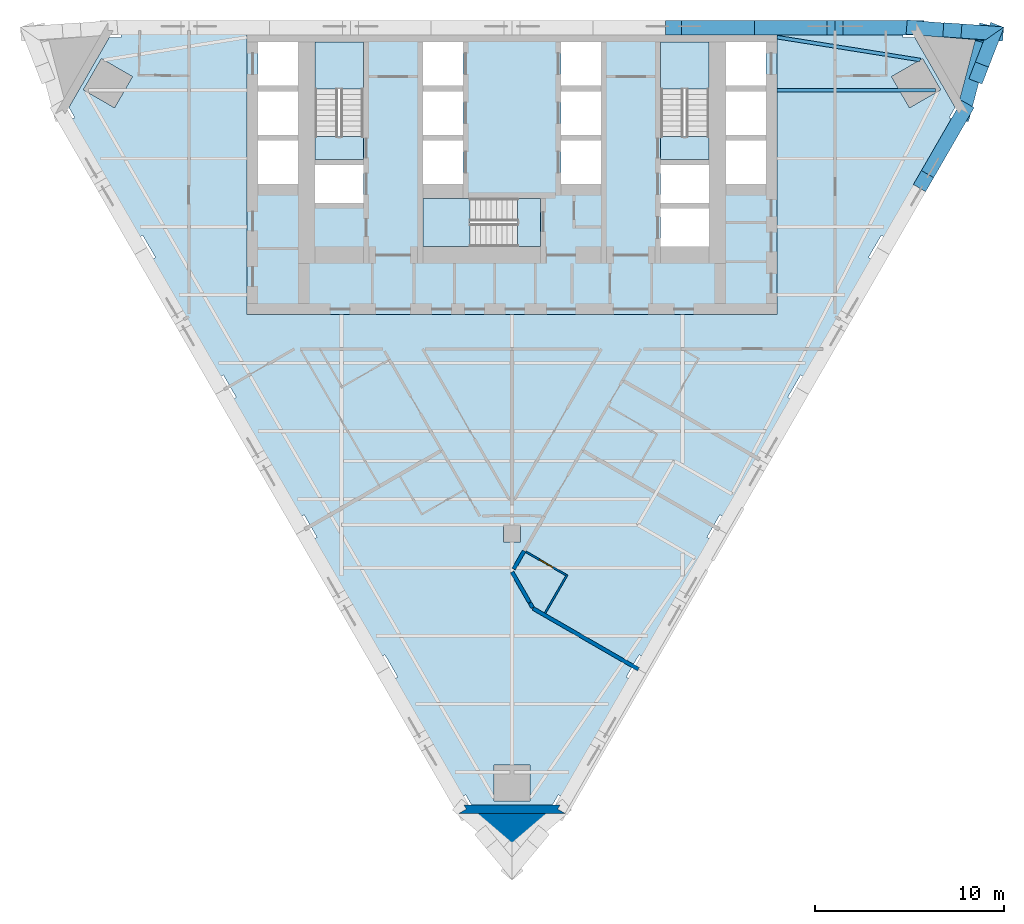
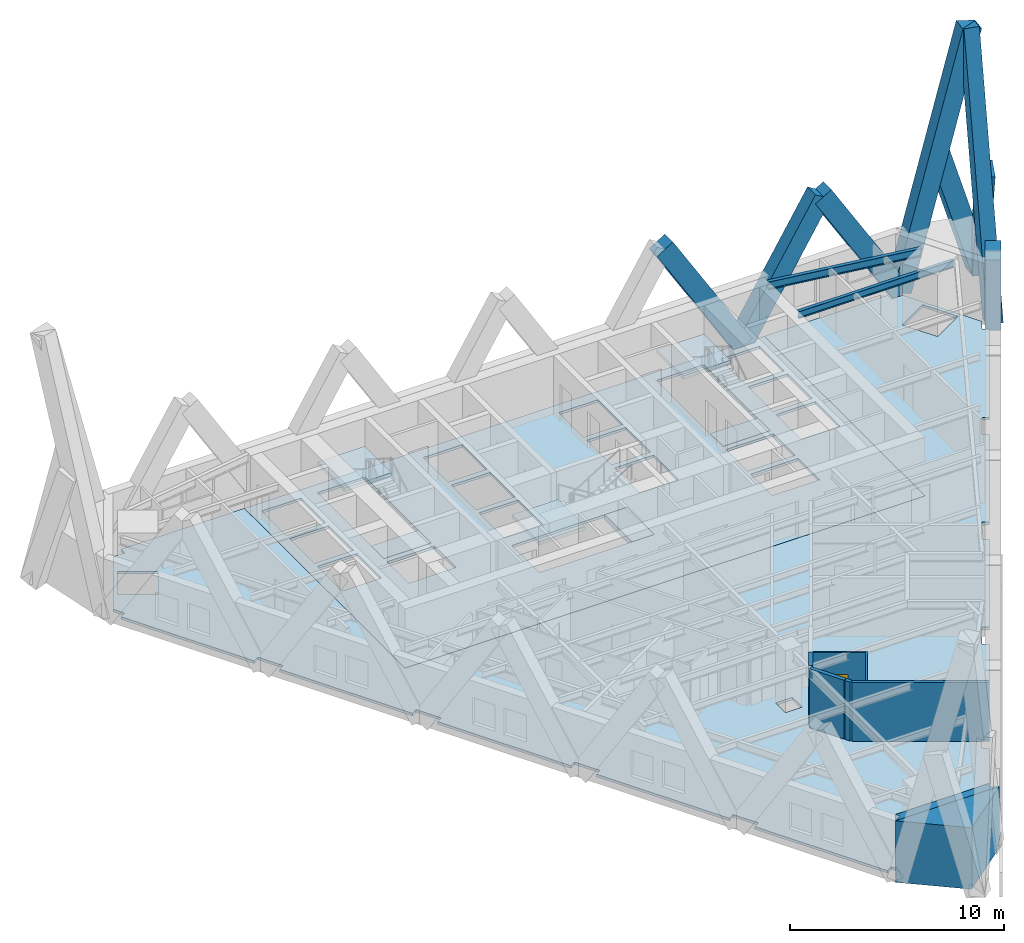
# One storey, part 2 of 9: 8 members, 8 slabs, 8 walls, 2 beams, 1 door, 1 opening, 3 elements without a shape of their own.
"""IFC4 building model written with IfcOpenShell, lengths in metres."""

from ifc_helpers import new_model, si_unit, direction, frame, frame_2d, origin, origin_2d, place, context, subcontext, project, spatial, polyline, rectangle, i_section, outline, extrude, material, layer, layer_set, material_profile, profile_set, type_object, element, fill, aggregate, save


model = new_model("IFC4")

# Units and contexts
model_context = context("Model", 3, precision=1e-05, world=origin(), true_north=direction((0.0, 1.0)))
body_context = subcontext(model_context, "Body", "Model", "MODEL_VIEW")
ifc_project = project(units=[si_unit("LENGTHUNIT", "METRE"), si_unit("AREAUNIT", "SQUARE_METRE"), si_unit("VOLUMEUNIT", "CUBIC_METRE"), si_unit("PLANEANGLEUNIT", "RADIAN"), si_unit("MASSUNIT", "GRAM", prefix="KILO")], contexts=[model_context])

# Site, building, storey
site_placement = place(None, origin())
site = spatial("IfcSite", under=ifc_project, at=site_placement, CompositionType="ELEMENT")
building_placement = place(site_placement, origin())
building = spatial("IfcBuilding", under=site, at=building_placement, Name="Aloe Facet Convention Tower", CompositionType="ELEMENT")
storey_placement = place(building_placement, frame((0.0, 0.0, 109.800048828125)))
storey = spatial("IfcBuildingStorey", under=building, at=storey_placement, Name="L27", CompositionType="ELEMENT", Elevation=109.800048828125)

# Beams
ifc_material_1 = material(Name="Steel S355", Category="steel")
ifc_material_profile_1 = material_profile(ifc_material_1, i_section(OverallWidth=0.177734375, OverallDepth=0.402587890625, WebThickness=0.0078125, FlangeThickness=0.010986328125, FilletRadius=0.01025390625, at=origin_2d()), Name="UB 406x178x54")
ifc_profile_set_1 = profile_set([ifc_material_profile_1], Name="Steel S355")
beam_type_1 = type_object("IfcBeamType", Name="SF-B-UB406x178x54", PredefinedType="BEAM", material=ifc_profile_set_1)
beam_1_placement = place(storey_placement, frame((94.0, 131.39990234375, 3.148681640625), z_axis=(1.0, 0.0, 0.0), x_axis=(0.0, 1.0, 0.0)))
element("IfcBeam", 1, at=beam_1_placement, inside=storey, type_object=beam_type_1, Name="Floor beam FB-Z2G-042", PredefinedType="BEAM", context=body_context, shape_type="SweptSolid", body=[
    extrude(i_section(OverallWidth=0.177734375, OverallDepth=0.402587890625, WebThickness=0.0078125, FlangeThickness=0.010986328125, FilletRadius=0.01025390625, at=origin_2d()), origin(), (0.0, 0.0, 1.0), 8.3623046875),
])
ifc_material_2 = material(Name="Steel S355", Category="steel")
ifc_material_profile_2 = material_profile(ifc_material_2, i_section(OverallWidth=0.18994140625, OverallDepth=0.453369140625, WebThickness=0.008544921875, FlangeThickness=0.0126953125, FilletRadius=0.01025390625, at=origin_2d()), Name="UB 457x191x67")
ifc_profile_set_2 = profile_set([ifc_material_profile_2], Name="Steel S355")
beam_type_2 = type_object("IfcBeamType", Name="SF-B-UB457x191x67", PredefinedType="BEAM", material=ifc_profile_set_2)
beam_2_placement = place(storey_placement, frame((94.0, 134.205078125, 3.123291015625), z_axis=(0.987536396348, -0.15739080624, 0.0), x_axis=(0.15739080624, 0.987536396348, 0.0)))
element("IfcBeam", 2, at=beam_2_placement, inside=storey, type_object=beam_type_2, Name="Floor beam FB-Z2G-008", PredefinedType="BEAM", context=body_context, shape_type="SweptSolid", body=[
    extrude(i_section(OverallWidth=0.18994140625, OverallDepth=0.453369140625, WebThickness=0.008544921875, FlangeThickness=0.0126953125, FilletRadius=0.01025390625, at=origin_2d()), origin(), (0.0, 0.0, 1.0), 7.653564453125),
])

# Members
ifc_material_3 = material(Name="Concrete C60/75, bronze oxide finish", Category="concrete")
ifc_material_profile_3 = material_profile(ifc_material_3, rectangle(XDim=0.75, YDim=1.0, at=origin_2d()), Name="STW-LM")
ifc_profile_set_3 = profile_set([ifc_material_profile_3], Name="Concrete C60/75, bronze oxide finish")
member_type = type_object("IfcMemberType", Name="STW-LM", PredefinedType="BRACE", material=ifc_profile_set_3)
for number, where, z_axis, x_axis, name in (
    (3, (101.321533203125, 134.699951171875, 0.0), (-0.520261568685, 0.0, 0.854006967272), (0.0, -1.0, 0.0), "Lattice member LM-Z2-F1-R4-01"),
    (4, (92.79296875, 134.699951171875, 0.0), (0.520239844858, 0.0, 0.854020201062), (0.0, 1.0, 0.0), "Lattice member LM-Z2-F1-R4-02"),
    (5, (92.79296875, 134.699951171875, 0.0), (-0.520261568685, 0.0, 0.854006967272), (0.0, -1.0, 0.0), "Lattice member LM-Z2-F1-R4-03"),
):
    element("IfcMember", number, at=place(storey_placement, frame(where, z_axis=z_axis, x_axis=x_axis)), inside=storey, type_object=member_type, Name=name, PredefinedType="BRACE", context=body_context, shape_type="SweptSolid", body=[
        extrude(rectangle(XDim=0.75, YDim=1.0, at=origin_2d()), origin(), (0.0, 0.0, 1.0), 8.196533203125),
    ])
member_1_placement = place(storey_placement, frame((103.86181640625, 130.30029296875, 0.0), z_axis=(-0.260144200438, -0.450561177013, 0.854002119873), x_axis=(0.866014930446, -0.500018139916, 0.0)))
element("IfcMember", 6, at=member_1_placement, inside=storey, type_object=member_type, Name="Lattice member LM-Z2-F3-R4-10", PredefinedType="BRACE", context=body_context, shape_type="SweptSolid", body=[
    extrude(rectangle(XDim=0.75, YDim=1.0, at=origin_2d()), origin(), (0.0, 0.0, 1.0), 8.19677734375),
])
member_2_placement = place(storey_placement, frame((103.86181640625, 130.30029296875, 0.0), z_axis=(0.0736663949, 0.280479708358, 0.95702894181), x_axis=(-0.967196683587, 0.254028689834, 0.0)))
element("IfcMember", 7, at=member_2_placement, inside=storey, type_object=member_type, Name="Lattice member LM-Z2-F6-R4-01", PredefinedType="BRACE", context=body_context, shape_type="SweptSolid", body=[
    extrude(rectangle(XDim=0.75, YDim=1.0, at=origin_2d()), origin(), (0.0, 0.0, 1.0), 14.628662109375),
])
member_3_placement = place(storey_placement, frame((105.456298828125, 134.41064453125, 0.0), z_axis=(-0.108648255943, -0.28003843266, 0.953820755024), x_axis=(0.932291801196, -0.361707060233, 0.0)))
element("IfcMember", 8, at=member_3_placement, inside=storey, type_object=member_type, Name="Lattice member LM-Z2-F6-R4-02", PredefinedType="BRACE", context=body_context, shape_type="SweptSolid", body=[
    extrude(rectangle(XDim=0.75, YDim=1.0, at=origin_2d()), origin(), (0.0, 0.0, 1.0), 7.482666015625),
])
member_4_placement = place(storey_placement, frame((101.321533203125, 134.699951171875, 0.0), z_axis=(0.250150651235, -0.020509686298, 0.967989671667), x_axis=(0.081715143168, 0.996655725603, 0.0)))
element("IfcMember", 9, at=member_4_placement, inside=storey, type_object=member_type, Name="Lattice member LM-Z2-F6-R4-03", PredefinedType="BRACE", context=body_context, shape_type="SweptSolid", body=[
    extrude(rectangle(XDim=0.75, YDim=1.0, at=origin_2d()), origin(), (0.0, 0.0, 1.0), 14.462890625),
])
member_5_placement = place(storey_placement, frame((105.456298828125, 134.41064453125, 0.0), z_axis=(-0.283194090919, 0.019822645416, 0.958857742106), x_axis=(-0.069825829344, -0.997559198021, 0.0)))
element("IfcMember", 10, at=member_5_placement, inside=storey, type_object=member_type, Name="Lattice member LM-Z2-F6-R4-04", PredefinedType="BRACE", context=body_context, shape_type="SweptSolid", body=[
    extrude(rectangle(XDim=0.75, YDim=1.0, at=origin_2d()), origin(), (0.0, 0.0, 1.0), 7.783935546875),
])

# Slabs
ifc_material_4 = material(Name="Concrete C70/85", Category="concrete")
ifc_layer_1 = layer(ifc_material_4, 0.14990234375)
ifc_layer_set_1 = layer_set([ifc_layer_1], Name="CR-S-FLOOR150-C7085")
slab_type_1 = type_object("IfcSlabType", Name="CR-S-FLOOR150-C7085", PredefinedType="FLOOR", material=ifc_layer_set_1)
slab_1_placement = place(storey_placement, frame((0.0, 0.0, -0.150146484375)))
element("IfcSlab", 11, at=slab_1_placement, inside=storey, type_object=slab_type_1, Name="Core floor L27", PredefinedType="FLOOR", context=body_context, shape_type="SweptSolid", body=[
    extrude(outline(polyline([(69.300048828125, 134.550048828125), (71.85009765625, 134.550048828125), (72.75, 134.550048828125), (74.699951171875, 134.550048828125), (75.60009765625, 134.550048828125), (77.10009765625, 134.550048828125), (78.0, 134.550048828125), (82.0, 134.550048828125), (82.89990234375, 134.550048828125), (84.39990234375, 134.550048828125), (85.300048828125, 134.550048828125), (87.25, 134.550048828125), (88.14990234375, 134.550048828125), (90.699951171875, 134.550048828125), (91.0, 134.550048828125), (94.0, 134.550048828125), (94.0, 131.949951171875), (94.0, 131.050048828125), (94.0, 129.35009765625), (94.0, 128.449951171875), (94.0, 126.449951171875), (94.0, 125.85009765625), (94.0, 124.949951171875), (94.0, 123.89990234375), (94.0, 122.871337890625), (94.0, 121.821533203125), (94.0, 119.550048828125), (91.300048828125, 119.550048828125), (90.699951171875, 119.550048828125), (87.89990234375, 119.550048828125), (86.85009765625, 119.550048828125), (85.699951171875, 119.550048828125), (84.64990234375, 119.550048828125), (83.699951171875, 119.550048828125), (82.64990234375, 119.550048828125), (81.75, 119.550048828125), (80.699951171875, 119.550048828125), (79.61669921875, 119.550048828125), (78.566650390625, 119.550048828125), (77.4833984375, 119.550048828125), (76.433349609375, 119.550048828125), (75.35009765625, 119.550048828125), (74.300048828125, 119.550048828125), (73.14990234375, 119.550048828125), (72.10009765625, 119.550048828125), (69.300048828125, 119.550048828125), (68.699951171875, 119.550048828125), (66.0, 119.550048828125), (66.0, 122.523681640625), (66.0, 123.57373046875), (66.0, 125.85009765625), (66.0, 126.449951171875), (66.0, 128.449951171875), (66.0, 129.35009765625), (66.0, 131.050048828125), (66.0, 131.949951171875), (66.0, 134.550048828125), (69.0, 134.550048828125), (69.300048828125, 134.550048828125)]), holes=[polyline([(75.300048828125, 123.14990234375), (80.298828125, 123.14990234375), (81.5, 123.14990234375), (81.5, 125.699951171875), (80.298828125, 125.699951171875), (75.300048828125, 125.699951171875), (75.300048828125, 123.14990234375)]), polyline([(69.60009765625, 125.449951171875), (72.14990234375, 125.449951171875), (72.14990234375, 127.449951171875), (69.60009765625, 127.449951171875), (69.60009765625, 125.449951171875)]), polyline([(66.60009765625, 126.449951171875), (68.699951171875, 126.449951171875), (68.699951171875, 128.75), (66.60009765625, 128.75), (66.60009765625, 126.449951171875)]), polyline([(75.300048828125, 126.449951171875), (77.39990234375, 126.449951171875), (77.39990234375, 128.75), (75.300048828125, 128.75), (75.300048828125, 126.449951171875)]), polyline([(66.60009765625, 129.050048828125), (68.699951171875, 129.050048828125), (68.699951171875, 131.35009765625), (66.60009765625, 131.35009765625), (66.60009765625, 129.050048828125)]), polyline([(75.300048828125, 129.050048828125), (77.39990234375, 129.050048828125), (77.39990234375, 131.35009765625), (75.300048828125, 131.35009765625), (75.300048828125, 129.050048828125)]), polyline([(69.60009765625, 133.949951171875), (69.60009765625, 128.951171875), (69.60009765625, 127.75), (72.14990234375, 127.75), (72.14990234375, 128.951171875), (72.14990234375, 133.949951171875), (69.60009765625, 133.949951171875)]), polyline([(66.60009765625, 133.949951171875), (66.60009765625, 131.64990234375), (68.699951171875, 131.64990234375), (68.699951171875, 133.949951171875), (66.60009765625, 133.949951171875)]), polyline([(75.300048828125, 133.949951171875), (75.300048828125, 131.64990234375), (77.39990234375, 131.64990234375), (77.39990234375, 133.949951171875), (75.300048828125, 133.949951171875)]), polyline([(87.85009765625, 123.14990234375), (90.39990234375, 123.14990234375), (90.39990234375, 125.14990234375), (87.85009765625, 125.14990234375), (87.85009765625, 123.14990234375)]), polyline([(87.85009765625, 125.449951171875), (90.39990234375, 125.449951171875), (90.39990234375, 127.449951171875), (87.85009765625, 127.449951171875), (87.85009765625, 125.449951171875)]), polyline([(82.60009765625, 126.449951171875), (84.699951171875, 126.449951171875), (84.699951171875, 128.75), (82.60009765625, 128.75), (82.60009765625, 126.449951171875)]), polyline([(91.300048828125, 126.449951171875), (93.39990234375, 126.449951171875), (93.39990234375, 128.75), (91.300048828125, 128.75), (91.300048828125, 126.449951171875)]), polyline([(82.60009765625, 129.050048828125), (84.699951171875, 129.050048828125), (84.699951171875, 131.35009765625), (82.60009765625, 131.35009765625), (82.60009765625, 129.050048828125)]), polyline([(91.300048828125, 129.050048828125), (93.39990234375, 129.050048828125), (93.39990234375, 131.35009765625), (91.300048828125, 131.35009765625), (91.300048828125, 129.050048828125)]), polyline([(87.85009765625, 133.949951171875), (87.85009765625, 128.951171875), (87.85009765625, 127.75), (90.39990234375, 127.75), (90.39990234375, 128.951171875), (90.39990234375, 133.949951171875), (87.85009765625, 133.949951171875)]), polyline([(82.60009765625, 133.949951171875), (82.60009765625, 131.64990234375), (84.699951171875, 131.64990234375), (84.699951171875, 133.949951171875), (82.60009765625, 133.949951171875)]), polyline([(91.300048828125, 133.949951171875), (91.300048828125, 131.64990234375), (93.39990234375, 131.64990234375), (93.39990234375, 133.949951171875), (91.300048828125, 133.949951171875)])]), origin(), (0.0, 0.0, 1.0), 0.150146484375),
])
ifc_material_5 = material(Name="Concrete C70/85", Category="concrete")
ifc_layer_2 = layer(ifc_material_5, 0.300048828125)
ifc_layer_set_2 = layer_set([ifc_layer_2], Name="CR-S-FLOOR300-C7085")
slab_type_2 = type_object("IfcSlabType", Name="CR-S-FLOOR300-C7085", PredefinedType="FLOOR", material=ifc_layer_set_2)
slab_2_placement = place(storey_placement, frame((0.0, 0.0, -0.300048828125)))
element("IfcSlab", 12, at=slab_2_placement, inside=storey, type_object=slab_type_2, Name="Stair landing floor L27", PredefinedType="FLOOR", context=body_context, shape_type="SweptSolid", body=[
    extrude(outline(polyline([(72.14990234375, 127.75), (72.14990234375, 128.951171875), (69.60009765625, 128.951171875), (69.60009765625, 127.75), (72.14990234375, 127.75)])), origin(), (0.0, 0.0, 1.0), 0.300048828125),
])
slab_3_placement = place(storey_placement, frame((0.0, 0.0, -0.300048828125)))
element("IfcSlab", 13, at=slab_3_placement, inside=storey, type_object=slab_type_2, Name="Stair landing floor L27", PredefinedType="FLOOR", context=body_context, shape_type="SweptSolid", body=[
    extrude(outline(polyline([(90.39990234375, 127.75), (90.39990234375, 128.951171875), (87.85009765625, 128.951171875), (87.85009765625, 127.75), (90.39990234375, 127.75)])), origin(), (0.0, 0.0, 1.0), 0.300048828125),
])
slab_4_placement = place(storey_placement, frame((0.0, 0.0, -0.300048828125)))
element("IfcSlab", 14, at=slab_4_placement, inside=storey, type_object=slab_type_2, Name="Stair landing floor L27", PredefinedType="FLOOR", context=body_context, shape_type="SweptSolid", body=[
    extrude(outline(polyline([(81.5, 125.699951171875), (80.298828125, 125.699951171875), (80.298828125, 123.14990234375), (81.5, 123.14990234375), (81.5, 125.699951171875)])), origin(), (0.0, 0.0, 1.0), 0.300048828125),
])

# Stair, slab
ifc_material_6 = material(Name="Concrete C50/60", Category="concrete")
stair_type = type_object("IfcStairType", Name="CR-ST-20R", PredefinedType="HALF_TURN_STAIR", material=ifc_material_6)
stair_1_placement = place(storey_placement, origin())
stair_1 = element("IfcStair", 15, at=stair_1_placement, inside=storey, type_object=stair_type, Name="L27 Protected exit stair ST1", PredefinedType="HALF_TURN_STAIR")
ifc_material_7 = material(Name="Concrete C50/60", Category="concrete")
ifc_layer_3 = layer(ifc_material_7, 0.199951171875)
ifc_layer_set_3 = layer_set([ifc_layer_3], Name="CR-SL-LANDING")
slab_type_3 = type_object("IfcSlabType", Name="CR-SL-LANDING", PredefinedType="LANDING", material=ifc_layer_set_3)
slab_5_placement = place(storey_placement, frame((0.0, 0.0, 1.550048828125)))
slab_5 = element("IfcSlab", 16, at=slab_5_placement, type_object=slab_type_3, Name="ST1 landing 1", PredefinedType="LANDING", context=body_context, shape_type="SweptSolid", body=[
    extrude(outline(polyline([(72.14990234375, 131.469970703125), (72.14990234375, 133.949951171875), (69.60009765625, 133.949951171875), (69.60009765625, 131.469970703125), (72.14990234375, 131.469970703125)])), origin(), (0.0, 0.0, 1.0), 0.199951171875),
])
aggregate(stair_1, [slab_5])

stair_2_placement = place(storey_placement, origin())
stair_2 = element("IfcStair", 17, at=stair_2_placement, inside=storey, type_object=stair_type, Name="L27 Protected exit stair ST2", PredefinedType="HALF_TURN_STAIR")
slab_6_placement = place(storey_placement, frame((0.0, 0.0, 1.550048828125)))
slab_6 = element("IfcSlab", 18, at=slab_6_placement, type_object=slab_type_3, Name="ST2 landing 1", PredefinedType="LANDING", context=body_context, shape_type="SweptSolid", body=[
    extrude(outline(polyline([(90.39990234375, 131.469970703125), (90.39990234375, 133.949951171875), (87.85009765625, 133.949951171875), (87.85009765625, 131.469970703125), (90.39990234375, 131.469970703125)])), origin(), (0.0, 0.0, 1.0), 0.199951171875),
])
aggregate(stair_2, [slab_6])

stair_3_placement = place(storey_placement, origin())
stair_3 = element("IfcStair", 19, at=stair_3_placement, inside=storey, type_object=stair_type, Name="L27 Protected exit stair ST3", PredefinedType="HALF_TURN_STAIR")
slab_7_placement = place(storey_placement, frame((0.0, 0.0, 1.550048828125)))
slab_7 = element("IfcSlab", 20, at=slab_7_placement, type_object=slab_type_3, Name="ST3 landing 1", PredefinedType="LANDING", context=body_context, shape_type="SweptSolid", body=[
    extrude(outline(polyline([(77.780029296875, 125.699951171875), (75.300048828125, 125.699951171875), (75.300048828125, 123.14990234375), (77.780029296875, 123.14990234375), (77.780029296875, 125.699951171875)])), origin(), (0.0, 0.0, 1.0), 0.199951171875),
])
aggregate(stair_3, [slab_7])

# Slab
ifc_material_8 = material(Name="Concrete C35/45", Category="concrete")
ifc_layer_4 = layer(ifc_material_8, 0.14990234375)
ifc_layer_set_4 = layer_set([ifc_layer_4], Name="SF-FS-150")
slab_type_4 = type_object("IfcSlabType", Name="SF-FS-150", PredefinedType="FLOOR", material=ifc_layer_set_4)
slab_8_placement = place(storey_placement, frame((0.0, 0.0, -0.150146484375)))
element("IfcSlab", 21, at=slab_8_placement, inside=storey, type_object=slab_type_4, Name="Floor slab L27-1", PredefinedType="FLOOR", context=body_context, shape_type="SweptSolid", body=[
    extrude(outline(polyline([(103.39990234375, 130.500244140625), (103.09033203125, 129.964111328125), (103.393310546875, 129.7890625), (99.805908203125, 123.575439453125), (99.502685546875, 123.75048828125), (99.4462890625, 123.65234375), (99.28759765625, 123.37744140625), (98.87451171875, 122.662109375), (98.87158203125, 122.6572265625), (98.825927734375, 122.578125), (99.129150390625, 122.403076171875), (95.54150390625, 116.189453125), (95.238525390625, 116.364501953125), (94.777099609375, 115.56494140625), (94.618408203125, 115.290283203125), (94.607421875, 115.271240234375), (94.561767578125, 115.192138671875), (94.86474609375, 115.01708984375), (91.27734375, 108.803466796875), (90.97412109375, 108.978515625), (90.928466796875, 108.8994140625), (90.7587890625, 108.60546875), (90.6357421875, 108.392333984375), (90.585205078125, 108.304443359375), (90.5126953125, 108.178955078125), (90.35400390625, 107.904296875), (90.343017578125, 107.88525390625), (90.29736328125, 107.80615234375), (90.6005859375, 107.631103515625), (87.012939453125, 101.41748046875), (86.7099609375, 101.59228515625), (86.6533203125, 101.494384765625), (86.49462890625, 101.219482421875), (86.4306640625, 101.108642578125), (86.37158203125, 101.00634765625), (86.30029296875, 100.883056640625), (86.248291015625, 100.79296875), (86.078857421875, 100.499267578125), (86.033203125, 100.420166015625), (86.336181640625, 100.2451171875), (82.748779296875, 94.031494140625), (82.445556640625, 94.206298828125), (82.135986328125, 93.67041015625), (77.864013671875, 93.67041015625), (77.554443359375, 94.206298828125), (77.251220703125, 94.031494140625), (73.663818359375, 100.2451171875), (73.966796875, 100.420166015625), (73.921142578125, 100.499267578125), (73.751708984375, 100.79296875), (73.6513671875, 100.966552734375), (73.62841796875, 101.00634765625), (73.2900390625, 101.59228515625), (72.987060546875, 101.41748046875), (69.3994140625, 107.631103515625), (69.70263671875, 107.80615234375), (69.656982421875, 107.88525390625), (69.3642578125, 108.392333984375), (69.02587890625, 108.978515625), (68.72265625, 108.803466796875), (65.13525390625, 115.01708984375), (65.438232421875, 115.192138671875), (65.222900390625, 115.56494140625), (65.203369140625, 115.59912109375), (64.976806640625, 115.991455078125), (64.9169921875, 116.09521484375), (64.80712890625, 116.285400390625), (64.761474609375, 116.364501953125), (64.45849609375, 116.189453125), (60.870849609375, 122.403076171875), (61.174072265625, 122.578125), (60.958740234375, 122.950927734375), (60.91943359375, 123.01904296875), (60.71240234375, 123.37744140625), (60.497314453125, 123.75048828125), (60.194091796875, 123.575439453125), (56.606689453125, 129.7890625), (56.90966796875, 129.964111328125), (56.864013671875, 130.043212890625), (56.60009765625, 130.500244140625), (58.736083984375, 134.199951171875), (59.263916015625, 134.199951171875), (59.355224609375, 134.199951171875), (59.355224609375, 134.550048828125), (66.0, 134.550048828125), (66.0, 131.949951171875), (66.0, 131.050048828125), (66.0, 129.35009765625), (66.0, 128.449951171875), (66.0, 126.449951171875), (66.0, 125.85009765625), (66.0, 123.57373046875), (66.0, 122.523681640625), (66.0, 119.550048828125), (68.699951171875, 119.550048828125), (69.300048828125, 119.550048828125), (72.10009765625, 119.550048828125), (73.14990234375, 119.550048828125), (74.300048828125, 119.550048828125), (75.35009765625, 119.550048828125), (76.433349609375, 119.550048828125), (77.4833984375, 119.550048828125), (78.566650390625, 119.550048828125), (79.61669921875, 119.550048828125), (80.699951171875, 119.550048828125), (81.75, 119.550048828125), (82.64990234375, 119.550048828125), (83.699951171875, 119.550048828125), (84.64990234375, 119.550048828125), (85.699951171875, 119.550048828125), (86.85009765625, 119.550048828125), (87.89990234375, 119.550048828125), (90.699951171875, 119.550048828125), (91.300048828125, 119.550048828125), (94.0, 119.550048828125), (94.0, 121.8212890625), (94.0, 122.871337890625), (94.0, 123.89990234375), (94.0, 124.949951171875), (94.0, 125.85009765625), (94.0, 126.449951171875), (94.0, 128.449951171875), (94.0, 129.35009765625), (94.0, 131.050048828125), (94.0, 131.949951171875), (94.0, 134.550048828125), (100.644775390625, 134.550048828125), (100.644775390625, 134.199951171875), (100.736083984375, 134.199951171875), (101.263916015625, 134.199951171875), (103.39990234375, 130.500244140625)]), holes=[polyline([(59.9619140625, 132.122802734375), (58.31640625, 133.072998046875), (57.366455078125, 131.427490234375), (59.01171875, 130.477294921875), (59.9619140625, 132.122802734375)]), polyline([(79.050048828125, 95.770263671875), (79.050048828125, 93.870361328125), (80.949951171875, 93.870361328125), (80.949951171875, 95.770263671875), (79.050048828125, 95.770263671875)]), polyline([(79.550048828125, 107.550048828125), (80.449951171875, 107.550048828125), (80.449951171875, 108.449951171875), (79.550048828125, 108.449951171875), (79.550048828125, 107.550048828125)]), polyline([(100.98828125, 130.477294921875), (102.633544921875, 131.427490234375), (101.68359375, 133.072998046875), (100.0380859375, 132.122802734375), (100.98828125, 130.477294921875)])]), origin(), (0.0, 0.0, 1.0), 0.150146484375),
])

# Walls
ifc_material_9 = material(Name="Precast concrete C40/50", Category="concrete")
ifc_layer_5 = layer(ifc_material_9, 0.449951171875)
ifc_layer_set_5 = layer_set([ifc_layer_5], Name="EV-WALL-PIER")
wall_type_1 = type_object("IfcWallType", Name="EV-WALL-PIER", PredefinedType="SOLIDWALL", material=ifc_layer_set_5)
wall_1_placement = place(storey_placement, frame((0.0, 0.0, -0.150146484375)))
element("IfcWall", 22, at=wall_1_placement, inside=storey, type_object=wall_type_1, Name="EP-L27-B", PredefinedType="SOLIDWALL", context=body_context, shape_type="SweptSolid", body=[
    extrude(outline(polyline([(77.199951171875, 93.22021484375), (77.589599609375, 93.4453125), (77.459716796875, 93.670166015625), (82.540283203125, 93.670166015625), (82.410400390625, 93.4453125), (82.800048828125, 93.22021484375), (77.199951171875, 93.22021484375)])), origin(), (0.0, 0.0, 1.0), 3.5),
])
ifc_material_10 = material(Name="Precast concrete C40/50", Category="concrete")
ifc_layer_6 = layer(ifc_material_10, 3.947998046875)
ifc_layer_set_6 = layer_set([ifc_layer_6], Name="EV-WALL-SPINE")
wall_type_2 = type_object("IfcWallType", Name="EV-WALL-SPINE", PredefinedType="SOLIDWALL", material=ifc_layer_set_6)
wall_2_placement = place(storey_placement, frame((0.0, 0.0, -0.150146484375)))
element("IfcWall", 23, at=wall_2_placement, inside=storey, type_object=wall_type_2, Name="SP-S-L27", PredefinedType="SOLIDWALL", context=body_context, shape_type="SweptSolid", body=[
    extrude(outline(polyline([(77.199951171875, 93.22021484375), (80.0, 90.944580078125), (82.800048828125, 93.22021484375), (77.199951171875, 93.22021484375)])), origin(), (0.0, 0.0, 1.0), 3.5),
])
ifc_material_11 = material(Name="Gypsum board partition on steel studs", Category="steel")
ifc_layer_7 = layer(ifc_material_11, 0.10009765625)
ifc_layer_set_7 = layer_set([ifc_layer_7], Name="IN-W-PART")
wall_type_3 = type_object("IfcWallType", Name="IN-W-PART", PredefinedType="PARTITIONING", material=ifc_layer_set_7)
wall_3_placement = place(storey_placement, frame((81.744873046875, 103.79296875, 0.0), z_axis=(0.0, 0.0, 1.0), x_axis=(0.500016218704, 0.866016039709, 0.0)))
element("IfcWall", 24, at=wall_3_placement, inside=storey, type_object=wall_type_3, Name="Partition L27-W006", PredefinedType="PARTITIONING", context=body_context, shape_type="SweptSolid", body=[
    extrude(rectangle(XDim=2.35009765625, YDim=0.10009765625, at=frame_2d((1.175048828125, 0.0))), origin(), (0.0, 0.0, 1.0), 3.349853515625),
])

# Wall, opening, door
wall_4_placement = place(storey_placement, frame((80.738525390625, 107.02978515625, 0.0), z_axis=(0.0, 0.0, 1.0), x_axis=(0.866023955769, -0.500002508028, 0.0)))
wall_4 = element("IfcWall", 25, at=wall_4_placement, inside=storey, type_object=wall_type_3, Name="Partition L27-W008", PredefinedType="PARTITIONING", context=body_context, shape_type="SweptSolid", body=[
    extrude(rectangle(XDim=2.43994140625, YDim=0.10009765625, at=frame_2d((1.219970703125, 0.0))), origin(), (0.0, 0.0, 1.0), 3.349853515625),
])
opening_placement = place(wall_4_placement, frame((0.820068359375, 0.0, 0.0)))
opening = element("IfcOpeningElement", 26, at=opening_placement, cuts=wall_4, Name="Opening L27-015", PredefinedType="OPENING", context=body_context, shape_type="SweptSolid", body=[
    extrude(rectangle(XDim=0.800048828125, YDim=2.10009765625, at=frame_2d((0.39990234375, 1.050048828125))), frame((0.0, 0.06005859375, 0.0), z_axis=(0.0, -1.0, 0.0), x_axis=(1.0, 0.0, 0.0)), (0.0, 0.0, 1.0), 0.1201171875),
])
ifc_material_12 = material(Name="Timber flush door", Category="wood")
door_type = type_object("IfcDoorType", Name="IN-D-BATH", OperationType="SINGLE_SWING_LEFT", PredefinedType="DOOR", material=ifc_material_12)
door_placement = place(opening_placement, origin())
door = element("IfcDoor", 27, at=door_placement, inside=storey, type_object=door_type, Name="Door L27-015", OperationType="SINGLE_SWING_LEFT", OverallHeight=2.10009765625, OverallWidth=0.800048828125, PredefinedType="DOOR", context=body_context, shape_type="SweptSolid", body=[
    extrude(rectangle(XDim=0.800048828125, YDim=2.10009765625, at=frame_2d((0.39990234375, 1.050048828125))), frame((0.0, 0.02490234375, 0.0), z_axis=(0.0, -1.0, 0.0), x_axis=(1.0, 0.0, 0.0)), (0.0, 0.0, 1.0), 0.050048828125),
])
fill(opening, door)

# Walls
ifc_material_13 = material(Name="Gypsum board partition on steel studs", Category="steel")
ifc_layer_8 = layer(ifc_material_13, 0.199951171875)
ifc_layer_set_8 = layer_set([ifc_layer_8], Name="IN-W-PARTY")
wall_type_4 = type_object("IfcWallType", Name="IN-W-PARTY", PredefinedType="PARTITIONING", material=ifc_layer_set_8)
wall_5_placement = place(storey_placement, frame((81.113525390625, 104.0419921875, 0.0), z_axis=(0.0, 0.0, 1.0), x_axis=(0.86602350115, -0.500003295444, 0.0)))
element("IfcWall", 28, at=wall_5_placement, inside=storey, type_object=wall_type_4, Name="Partition L27-W001", PredefinedType="PARTITIONING", context=body_context, shape_type="SweptSolid", body=[
    extrude(rectangle(XDim=6.42138671875, YDim=0.199951171875, at=frame_2d((3.210693359375, 0.0))), origin(), (0.0, 0.0, 1.0), 3.349853515625),
])
wall_6_placement = place(storey_placement, frame((80.0, 105.970458984375, 0.0), z_axis=(0.0, 0.0, 1.0), x_axis=(0.499992292652, -0.866029853578, 0.0)))
element("IfcWall", 29, at=wall_6_placement, inside=storey, type_object=wall_type_4, Name="Partition L27-W005", PredefinedType="PARTITIONING", context=body_context, shape_type="SweptSolid", body=[
    extrude(rectangle(XDim=1.853515625, YDim=0.199951171875, at=frame_2d((0.9267578125, 0.0))), origin(), (0.0, 0.0, 1.0), 3.349853515625),
])
wall_7_placement = place(storey_placement, frame((80.086669921875, 106.12060546875, 0.0), z_axis=(0.0, 0.0, 1.0), x_axis=(0.500007201891, 0.866021245731, 0.0)))
element("IfcWall", 30, at=wall_7_placement, inside=storey, type_object=wall_type_4, Name="Partition L27-W007", PredefinedType="PARTITIONING", context=body_context, shape_type="SweptSolid", body=[
    extrude(rectangle(XDim=1.11328125, YDim=0.199951171875, at=frame_2d((0.556640625, 0.0))), origin(), (0.0, 0.0, 1.0), 3.349853515625),
])
wall_8_placement = place(storey_placement, frame((80.94677734375, 104.33056640625, 0.0), z_axis=(0.0, 0.0, 1.0), x_axis=(0.500164219654, -0.865930570761, 0.0)))
element("IfcWall", 31, at=wall_8_placement, inside=storey, type_object=wall_type_4, Name="Partition L27-W069", PredefinedType="PARTITIONING", context=body_context, shape_type="SweptSolid", body=[
    extrude(rectangle(XDim=0.287109375, YDim=0.199951171875, at=frame_2d((0.1435546875, 0.0))), origin(), (0.0, 0.0, 1.0), 3.349853515625),
])

save(model, "model.ifc")
